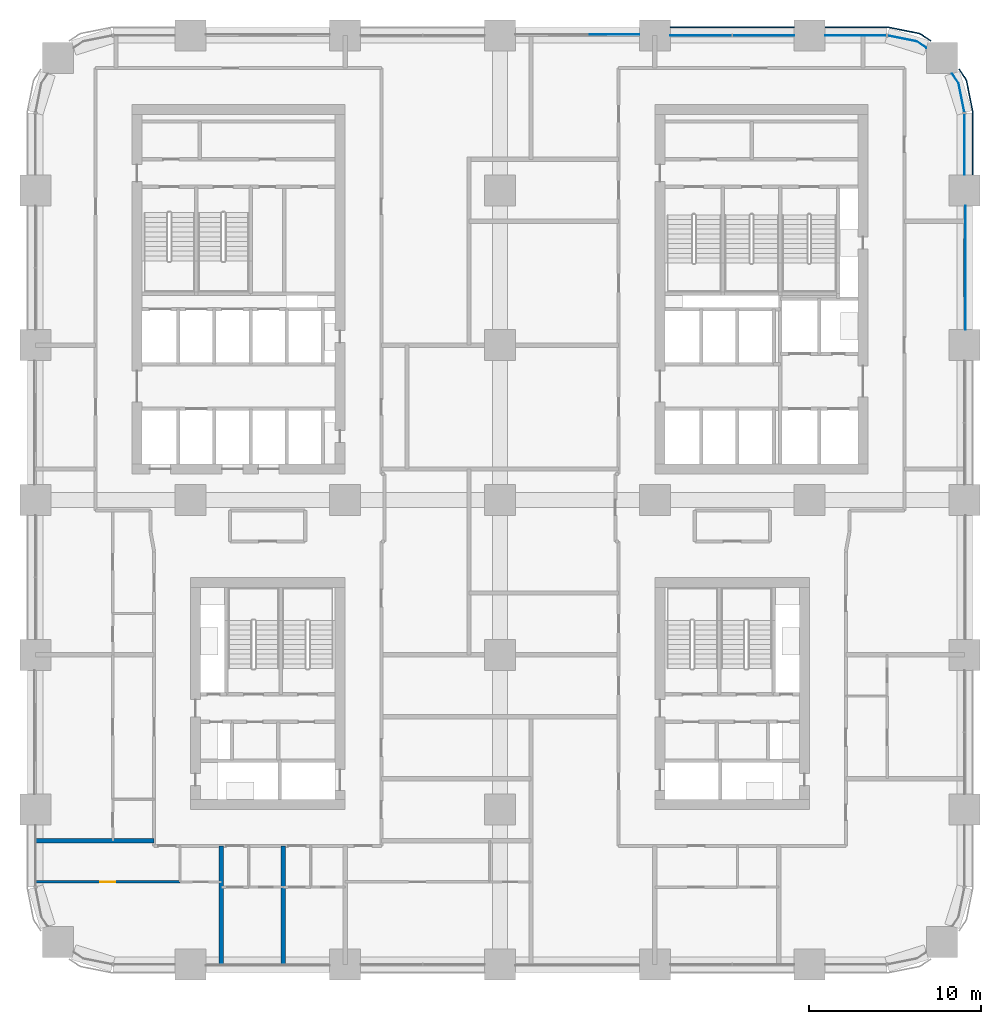
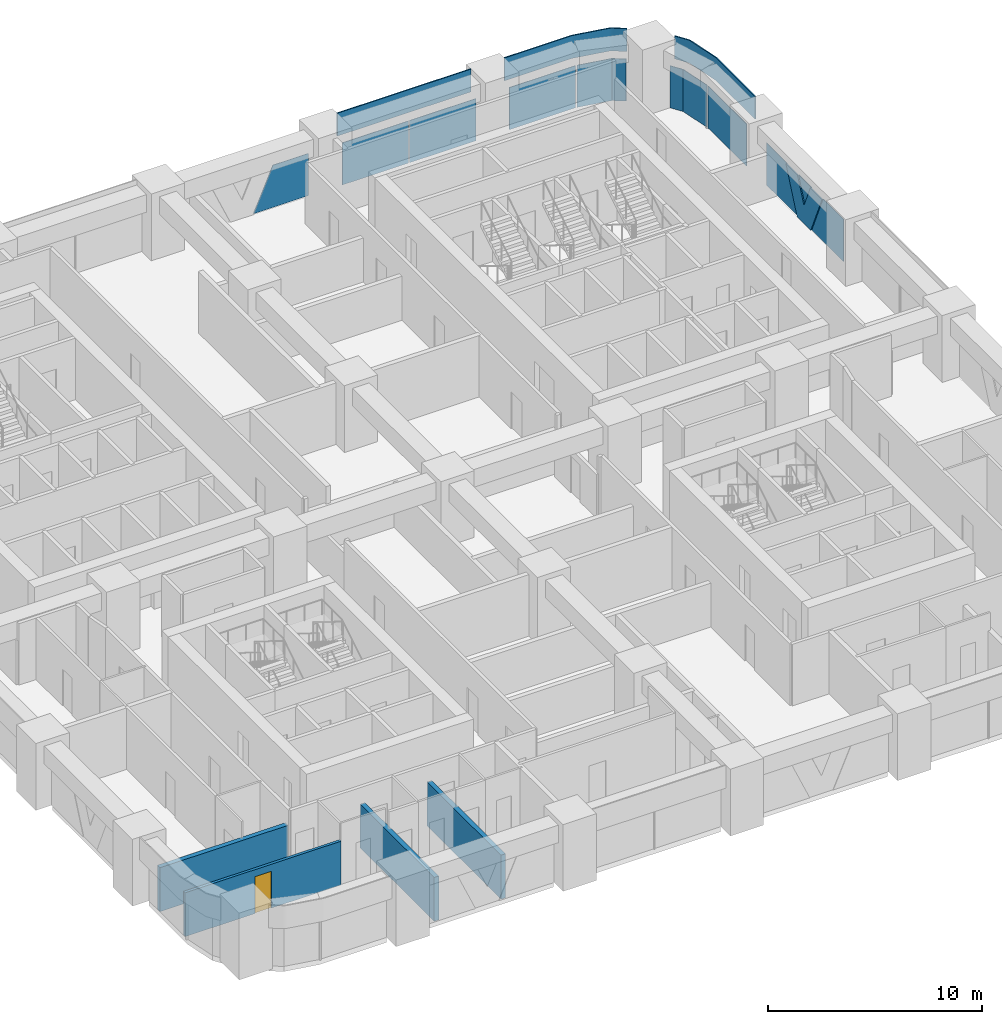
# One storey, part 12 of 21: 14 plates, 4 walls, 1 door, 1 opening, 5 elements without a shape of their own.
"""IFC4 building model written with IfcOpenShell, lengths in metres."""

from ifc_helpers import new_model, si_unit, direction, frame, frame_2d, origin, origin_2d, place, context, subcontext, project, spatial, polyline, rectangle, outline, extrude, material, layer, layer_set, type_object, element, fill, aggregate, save


model = new_model("IFC4")

# Units and contexts
model_context = context("Model", 3, precision=1e-05, world=origin(), true_north=direction((0.0, 1.0)))
body_context = subcontext(model_context, "Body", "Model", "MODEL_VIEW")
ifc_project = project(units=[si_unit("LENGTHUNIT", "METRE"), si_unit("AREAUNIT", "SQUARE_METRE"), si_unit("VOLUMEUNIT", "CUBIC_METRE"), si_unit("PLANEANGLEUNIT", "RADIAN"), si_unit("MASSUNIT", "GRAM", prefix="KILO")], contexts=[model_context])

# Site, building, storey
site_placement = place(None, origin())
site = spatial("IfcSite", under=ifc_project, at=site_placement, CompositionType="ELEMENT")
building_placement = place(site_placement, origin())
building = spatial("IfcBuilding", under=site, at=building_placement, Name="Tessera Arch", CompositionType="ELEMENT")
storey_placement = place(building_placement, frame((0.0, 0.0, 69.0)))
storey = spatial("IfcBuildingStorey", under=building, at=storey_placement, Name="L15", CompositionType="ELEMENT", Elevation=69.0)

# Curtain wall, plates
ifc_material_1 = material(Name="CW1 curtain wall")
curtain_wall_type_1 = type_object("IfcCurtainWallType", Name="CW1 curtain wall", PredefinedType="NOTDEFINED", material=ifc_material_1)
curtain_wall_1_placement = place(storey_placement, origin())
curtain_wall_1 = element("IfcCurtainWall", 1, at=curtain_wall_1_placement, inside=storey, type_object=curtain_wall_type_1, Name="CW1 curtain wall N54.0/1 L15", PredefinedType="NOTDEFINED")
ifc_material_2 = material(Name="Clear low-e glass", Category="glass")
ifc_material_3 = material(Name="Clear low-e glass", Category="glass")
ifc_layer_1 = layer(ifc_material_3, 0.028076171875)
ifc_layer_set_1 = layer_set([ifc_layer_1], Name="CW1 glass panel")
plate_type_1 = type_object("IfcPlateType", Name="CW1 glass panel", PredefinedType="CURTAIN_PANEL", material=ifc_layer_set_1)
plate_1_placement = place(storey_placement, frame((42.31494140625, 54.0, 0.0), z_axis=(0.0, 0.0, 1.0), x_axis=(-1.0, 0.0, 0.0)))
plate_1 = element("IfcPlate", 2, at=plate_1_placement, type_object=plate_type_1, material=ifc_material_2, Name="CW1 glass panel N54.0/1 1.1.1", PredefinedType="CURTAIN_PANEL", context=body_context, shape_type="SweptSolid", body=[
    extrude(rectangle(XDim=3.570068359375, YDim=0.028076171875, at=origin_2d()), origin(), (0.0, 0.0, 1.0), 2.39990234375),
])
plate_2_placement = place(storey_placement, frame((38.68505859375, 54.0, 0.0), z_axis=(0.0, 0.0, 1.0), x_axis=(-1.0, 0.0, 0.0)))
plate_2 = element("IfcPlate", 3, at=plate_2_placement, type_object=plate_type_1, material=ifc_material_2, Name="CW1 glass panel N54.0/1 1.2.1", PredefinedType="CURTAIN_PANEL", context=body_context, shape_type="SweptSolid", body=[
    extrude(rectangle(XDim=3.570068359375, YDim=0.028076171875, at=origin_2d()), origin(), (0.0, 0.0, 1.0), 2.39990234375),
])
ifc_material_4 = material(Name="Pale anodised aluminium panel", Category="aluminium")
ifc_layer_2 = layer(ifc_material_4, 0.06005859375)
ifc_layer_set_2 = layer_set([ifc_layer_2], Name="CW1 spandrel panel")
plate_type_2 = type_object("IfcPlateType", Name="CW1 spandrel panel", PredefinedType="CURTAIN_PANEL", material=ifc_layer_set_2)
plate_3_placement = place(storey_placement, frame((40.5, 54.47998046875, 2.5), z_axis=(0.0, 0.0, 1.0), x_axis=(-1.0, 0.0, 0.0)))
plate_3 = element("IfcPlate", 4, at=plate_3_placement, type_object=plate_type_2, Name="CW1 spandrel panel N54.0/1", PredefinedType="CURTAIN_PANEL", context=body_context, shape_type="SweptSolid", body=[
    extrude(rectangle(XDim=7.199951171875, YDim=0.06005859375, at=origin_2d()), origin(), (0.0, 0.0, 1.0), 1.300048828125),
])
aggregate(curtain_wall_1, [plate_1, plate_2, plate_3])

ifc_material_5 = material(Name="CW2 curtain wall")
curtain_wall_type_2 = type_object("IfcCurtainWallType", Name="CW2 curtain wall", PredefinedType="NOTDEFINED", material=ifc_material_5)
curtain_wall_2_placement = place(storey_placement, origin())
curtain_wall_2 = element("IfcCurtainWall", 5, at=curtain_wall_2_placement, inside=storey, type_object=curtain_wall_type_2, Name="CW2 curtain wall E54.0/5 L15", PredefinedType="NOTDEFINED")
ifc_material_6 = material(Name="Clear low-e glass", Category="glass")
ifc_layer_3 = layer(ifc_material_6, 0.028076171875)
ifc_layer_set_3 = layer_set([ifc_layer_3], Name="CW2 glass panel")
plate_type_3 = type_object("IfcPlateType", Name="CW2 glass panel", PredefinedType="CURTAIN_PANEL", material=ifc_layer_set_3)
plate_4_placement = place(storey_placement, frame((54.0, 47.679931640625, 0.0), z_axis=(0.0, 0.0, 1.0), x_axis=(0.0, 1.0, 0.0)))
plate_4 = element("IfcPlate", 6, at=plate_4_placement, type_object=plate_type_3, material=ifc_material_2, Name="CW2 glass panel E54.0/5 1.1", PredefinedType="CURTAIN_PANEL", context=body_context, shape_type="SweptSolid", body=[
    extrude(rectangle(XDim=3.56005859375, YDim=0.028076171875, at=origin_2d()), origin(), (0.0, 0.0, 1.0), 2.39990234375),
])
plate_5_placement = place(storey_placement, origin())
plate_5 = element("IfcPlate", 7, at=plate_5_placement, type_object=plate_type_3, material=ifc_material_2, Name="CW2 curved glass panel E54.0/5 2.1", PredefinedType="CURTAIN_PANEL", context=body_context, shape_type="SweptSolid", body=[
    extrude(outline(polyline([(53.644287109375, 51.216552734375), (53.978515625, 49.53662109375), (54.005859375, 49.5419921875), (53.670654296875, 51.2275390625), (53.294921875, 51.789794921875), (53.271728515625, 51.774169921875), (53.644287109375, 51.216552734375)])), origin(), (0.0, 0.0, 1.0), 2.39990234375),
])

curtain_wall_3_placement = place(storey_placement, origin())
curtain_wall_3 = element("IfcCurtainWall", 8, at=curtain_wall_3_placement, inside=storey, type_object=curtain_wall_type_2, Name="CW2 curtain wall N54.0/0 L15", PredefinedType="NOTDEFINED")
plate_6_placement = place(storey_placement, frame((47.679931640625, 54.0, 0.0), z_axis=(0.0, 0.0, 1.0), x_axis=(-1.0, 0.0, 0.0)))
plate_6 = element("IfcPlate", 9, at=plate_6_placement, type_object=plate_type_3, material=ifc_material_2, Name="CW2 glass panel N54.0/0 1.1", PredefinedType="CURTAIN_PANEL", context=body_context, shape_type="SweptSolid", body=[
    extrude(rectangle(XDim=3.56005859375, YDim=0.028076171875, at=origin_2d()), origin(), (0.0, 0.0, 1.0), 2.39990234375),
])
plate_7_placement = place(storey_placement, origin())
plate_7 = element("IfcPlate", 10, at=plate_7_placement, type_object=plate_type_3, material=ifc_material_2, Name="CW2 curved glass panel N54.0/0 2.1", PredefinedType="CURTAIN_PANEL", context=body_context, shape_type="SweptSolid", body=[
    extrude(outline(polyline([(51.216552734375, 53.644287109375), (51.774169921875, 53.271728515625), (51.789794921875, 53.294921875), (51.2275390625, 53.670654296875), (49.5419921875, 54.005859375), (49.53662109375, 53.978515625), (51.216552734375, 53.644287109375)])), origin(), (0.0, 0.0, 1.0), 2.39990234375),
])

# Plate
ifc_material_7 = material(Name="Pale anodised aluminium panel", Category="aluminium")
ifc_layer_4 = layer(ifc_material_7, 0.06005859375)
ifc_layer_set_4 = layer_set([ifc_layer_4], Name="CW2 spandrel panel")
plate_type_4 = type_object("IfcPlateType", Name="CW2 spandrel panel", PredefinedType="CURTAIN_PANEL", material=ifc_layer_set_4)
plate_8_placement = place(storey_placement, frame((0.0, 0.0, 2.5)))
plate_8 = element("IfcPlate", 11, at=plate_8_placement, type_object=plate_type_4, Name="CW2 spandrel panel E54.0/5", PredefinedType="CURTAIN_PANEL", context=body_context, shape_type="SweptSolid", body=[
    extrude(outline(polyline([(54.449951171875, 49.499267578125), (54.449951171875, 45.89990234375), (54.510009765625, 45.89990234375), (54.510009765625, 49.500732421875), (54.507568359375, 49.550048828125), (54.500244140625, 49.598876953125), (54.157470703125, 51.322265625), (54.1455078125, 51.3701171875), (54.128662109375, 51.417236328125), (54.107177734375, 51.462646484375), (54.08203125, 51.5048828125), (53.707275390625, 52.0654296875), (53.657470703125, 52.031982421875), (54.03125, 51.47265625), (54.05419921875, 51.434326171875), (54.0732421875, 51.394287109375), (54.088134765625, 51.352783203125), (54.09912109375, 51.30908203125), (54.441162109375, 49.588623046875), (54.44775390625, 49.544189453125), (54.449951171875, 49.499267578125)])), origin(), (0.0, 0.0, 1.0), 1.300048828125),
])

aggregate(curtain_wall_2, [plate_4, plate_5, plate_8])

plate_9_placement = place(storey_placement, frame((0.0, 0.0, 2.5)))
plate_9 = element("IfcPlate", 12, at=plate_9_placement, type_object=plate_type_4, Name="CW2 spandrel panel N54.0/0", PredefinedType="CURTAIN_PANEL", context=body_context, shape_type="SweptSolid", body=[
    extrude(outline(polyline([(51.47265625, 54.03125), (52.031982421875, 53.657470703125), (52.0654296875, 53.707275390625), (51.5048828125, 54.08203125), (51.462646484375, 54.107177734375), (51.417236328125, 54.128662109375), (51.3701171875, 54.1455078125), (51.322265625, 54.157470703125), (49.598876953125, 54.500244140625), (49.550048828125, 54.507568359375), (49.500732421875, 54.510009765625), (45.89990234375, 54.510009765625), (45.89990234375, 54.449951171875), (49.499267578125, 54.449951171875), (49.544189453125, 54.44775390625), (49.588623046875, 54.441162109375), (51.30908203125, 54.09912109375), (51.352783203125, 54.088134765625), (51.394287109375, 54.0732421875), (51.434326171875, 54.05419921875), (51.47265625, 54.03125)])), origin(), (0.0, 0.0, 1.0), 1.300048828125),
])

aggregate(curtain_wall_3, [plate_6, plate_7, plate_9])

# Curtain wall, plates
ifc_material_8 = material(Name="CW3 curtain wall")
curtain_wall_type_3 = type_object("IfcCurtainWallType", Name="CW3 curtain wall", PredefinedType="NOTDEFINED", material=ifc_material_8)
curtain_wall_4_placement = place(storey_placement, origin())
curtain_wall_4 = element("IfcCurtainWall", 13, at=curtain_wall_4_placement, inside=storey, type_object=curtain_wall_type_3, Name="CW3 curtain wall E54.0/4 L15", PredefinedType="NOTDEFINED")
ifc_material_9 = material(Name="Pale anodised aluminium panel", Category="aluminium")
ifc_layer_5 = layer(ifc_material_9, 0.06005859375)
ifc_layer_set_5 = layer_set([ifc_layer_5], Name="CW3 diagonal panel")
plate_type_5 = type_object("IfcPlateType", Name="CW3 diagonal panel", PredefinedType="CURTAIN_PANEL", material=ifc_layer_set_5)
plate_10_placement = place(storey_placement, frame((54.030029296875, 42.184326171875, 2.39990234375), z_axis=(1.0, 0.0, 0.0), x_axis=(0.0, -1.0, 0.0)))
plate_10 = element("IfcPlate", 14, at=plate_10_placement, type_object=plate_type_5, Name="CW3 diagonal panel E54.0/4 1", PredefinedType="CURTAIN_PANEL", context=body_context, shape_type="SweptSolid", body=[
    extrude(outline(polyline([(0.0, 0.0), (1.085693359375, 0.0), (1.684326171875, 1.363525390625), (2.282958984375, 0.0), (3.36865234375, 0.0), (2.31494140625, 2.39990234375), (1.0537109375, 2.39990234375), (0.0, 0.0)])), origin(), (0.0, 0.0, -1.0), 0.06005859375),
])
ifc_material_10 = material(Name="Clear low-e glass", Category="glass")
ifc_layer_6 = layer(ifc_material_10, 0.028076171875)
ifc_layer_set_6 = layer_set([ifc_layer_6], Name="CW3 glass panel")
plate_type_6 = type_object("IfcPlateType", Name="CW3 glass panel", PredefinedType="CURTAIN_PANEL", material=ifc_layer_set_6)
plate_11_placement = place(storey_placement, frame((54.05810546875, 36.89990234375, 0.0), z_axis=(1.0, 0.0, 0.0), x_axis=(0.0, 1.0, 0.0)))
plate_11 = element("IfcPlate", 15, at=plate_11_placement, type_object=plate_type_6, material=ifc_material_2, Name="CW3 triangulated glass panel E54.0/4 1", PredefinedType="CURTAIN_PANEL", context=body_context, shape_type="SweptSolid", body=[
    extrude(outline(polyline([(0.0, 0.0), (2.969482421875, 0.0), (1.915771484375, 2.39990234375), (0.0, 2.39990234375), (0.0, 0.0)])), origin(), (0.0, 0.0, -1.0), 0.028076171875),
])
plate_12_placement = place(storey_placement, frame((54.05810546875, 41.0986328125, 2.39990234375), z_axis=(1.0, 0.0, 0.0), x_axis=(0.0, -1.0, 0.0)))
plate_12 = element("IfcPlate", 16, at=plate_12_placement, type_object=plate_type_6, material=ifc_material_2, Name="CW3 triangulated glass panel E54.0/4 2", PredefinedType="CURTAIN_PANEL", context=body_context, shape_type="SweptSolid", body=[
    extrude(outline(polyline([(0.0, 0.0), (1.197265625, 0.0), (0.5986328125, 1.363525390625), (0.0, 0.0)])), origin(), (0.0, 0.0, -1.0), 0.028076171875),
])
plate_13_placement = place(storey_placement, frame((54.05810546875, 44.10009765625, 2.39990234375), z_axis=(1.0, 0.0, 0.0), x_axis=(0.0, -1.0, 0.0)))
plate_13 = element("IfcPlate", 17, at=plate_13_placement, type_object=plate_type_6, material=ifc_material_2, Name="CW3 triangulated glass panel E54.0/4 3", PredefinedType="CURTAIN_PANEL", context=body_context, shape_type="SweptSolid", body=[
    extrude(outline(polyline([(0.0, 0.0), (1.915771484375, 0.0), (2.969482421875, 2.39990234375), (0.0, 2.39990234375), (0.0, 0.0)])), origin(), (0.0, 0.0, -1.0), 0.028076171875),
])
aggregate(curtain_wall_4, [plate_11, plate_12, plate_13, plate_10])

# Curtain wall, plate
curtain_wall_5_placement = place(storey_placement, origin())
curtain_wall_5 = element("IfcCurtainWall", 18, at=curtain_wall_5_placement, inside=storey, type_object=curtain_wall_type_3, Name="CW3 curtain wall N54.0/2 L15", PredefinedType="NOTDEFINED")
plate_14_placement = place(storey_placement, frame((35.10009765625, 54.05810546875, 0.0), z_axis=(0.0, 1.0, 0.0), x_axis=(-1.0, 0.0, 0.0)))
plate_14 = element("IfcPlate", 19, at=plate_14_placement, type_object=plate_type_6, material=ifc_material_2, Name="CW3 triangulated glass panel N54.0/2 1", PredefinedType="CURTAIN_PANEL", context=body_context, shape_type="SweptSolid", body=[
    extrude(outline(polyline([(0.0, 0.0), (2.969482421875, 0.0), (1.915771484375, 2.39990234375), (0.0, 2.39990234375), (0.0, 0.0)])), origin(), (0.0, 0.0, -1.0), 0.028076171875),
])
aggregate(curtain_wall_5, [plate_14])

# Wall, opening, door
ifc_material_11 = material(Name="Gypsum board on steel stud", Category="steel")
ifc_layer_7 = layer(ifc_material_11, 0.14990234375)
ifc_layer_set_7 = layer_set([ifc_layer_7], Name="Partition 150")
wall_type_1 = type_object("IfcWallType", Name="Partition 150", PredefinedType="PARTITIONING", material=ifc_layer_set_7)
wall_placement = place(storey_placement, frame((0.0, 4.800048828125, 0.0), z_axis=(0.0, 0.0, 1.0), x_axis=(1.0, 0.0, 0.0)))
wall = element("IfcWall", 20, at=wall_placement, inside=storey, type_object=wall_type_1, Name="L15 partition 34", PredefinedType="PARTITIONING", context=body_context, shape_type="SweptSolid", body=[
    extrude(rectangle(XDim=8.39990234375, YDim=0.14990234375, at=frame_2d((4.199951171875, 0.0))), origin(), (0.0, 0.0, 1.0), 2.5),
])
opening_placement = place(wall_placement, frame((3.75, 0.0, 0.0)))
opening = element("IfcOpeningElement", 21, at=opening_placement, cuts=wall, Name="Opening L15-D014", PredefinedType="OPENING", context=body_context, shape_type="SweptSolid", body=[
    extrude(rectangle(XDim=0.89990234375, YDim=2.10009765625, at=frame_2d((0.449951171875, 1.050048828125))), frame((0.0, 0.0849609375, 0.0), z_axis=(0.0, -1.0, 0.0), x_axis=(1.0, 0.0, 0.0)), (0.0, 0.0, 1.0), 0.169921875),
])
ifc_material_12 = material(Name="Timber door leaf", Category="wood")
door_type = type_object("IfcDoorType", Name="Room door 900 x 2100", OperationType="SINGLE_SWING_LEFT", PredefinedType="DOOR", material=ifc_material_12)
door_placement = place(opening_placement, origin())
door = element("IfcDoor", 22, at=door_placement, inside=storey, type_object=door_type, Name="L15 door D014 type D01", OperationType="SINGLE_SWING_LEFT", OverallHeight=2.10009765625, OverallWidth=0.89990234375, PredefinedType="DOOR", context=body_context, shape_type="SweptSolid", body=[
    extrude(rectangle(XDim=0.89990234375, YDim=2.10009765625, at=frame_2d((0.449951171875, 1.050048828125))), frame((0.0, 0.02490234375, 0.0), z_axis=(0.0, -1.0, 0.0), x_axis=(1.0, 0.0, 0.0)), (0.0, 0.0, 1.0), 0.050048828125),
])
fill(opening, door)

# Walls
ifc_material_13 = material(Name="Double gypsum board on twin steel stud with acoustic mineral wool", Category="steel")
ifc_layer_8 = layer(ifc_material_13, 0.25)
ifc_layer_set_8 = layer_set([ifc_layer_8], Name="Party wall 250 EI 60")
wall_type_2 = type_object("IfcWallType", Name="Party wall 250 EI 60", PredefinedType="PARTITIONING", material=ifc_layer_set_8)
for number, where, z_axis, x_axis, name in (
    (23, (0.0, 7.199951171875, 0.0), (0.0, 0.0, 1.0), (1.0, 0.0, 0.0), "L15 partition 39"),
    (24, (10.800048828125, 0.0, 0.0), (0.0, 0.0, 1.0), (0.0, 1.0, 0.0), "L15 partition 57"),
    (25, (14.39990234375, 0.0, 0.0), (0.0, 0.0, 1.0), (0.0, 1.0, 0.0), "L15 partition 58"),
):
    element("IfcWall", number, at=place(storey_placement, frame(where, z_axis=z_axis, x_axis=x_axis)), inside=storey, type_object=wall_type_2, Name=name, PredefinedType="PARTITIONING", context=body_context, shape_type="SweptSolid", body=[
        extrude(rectangle(XDim=6.89990234375, YDim=0.25, at=frame_2d((3.449951171875, 0.0))), origin(), (0.0, 0.0, 1.0), 2.5),
    ])

save(model, "model.ifc")
